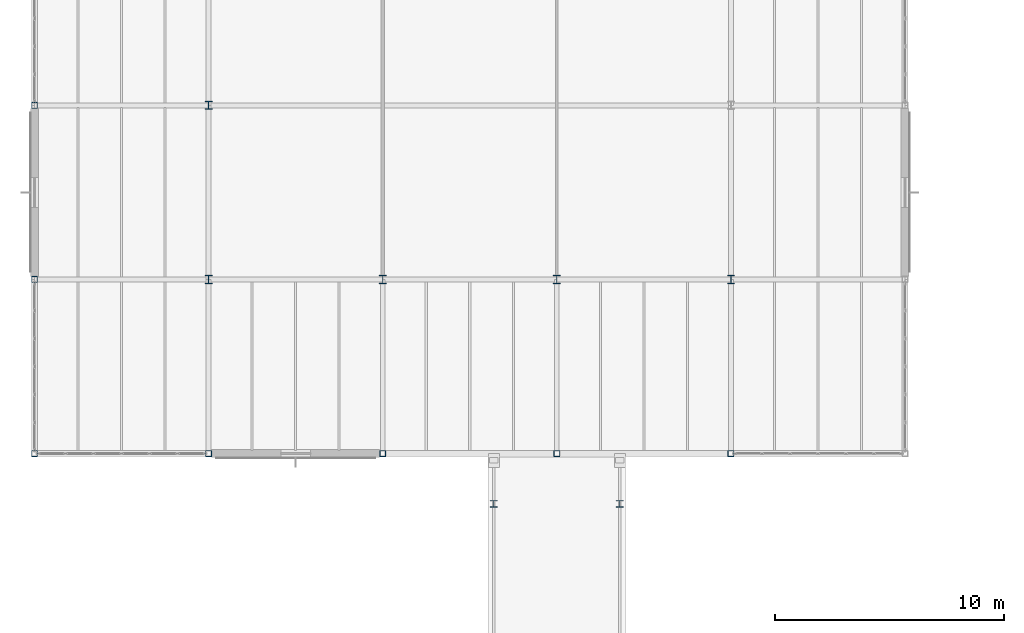
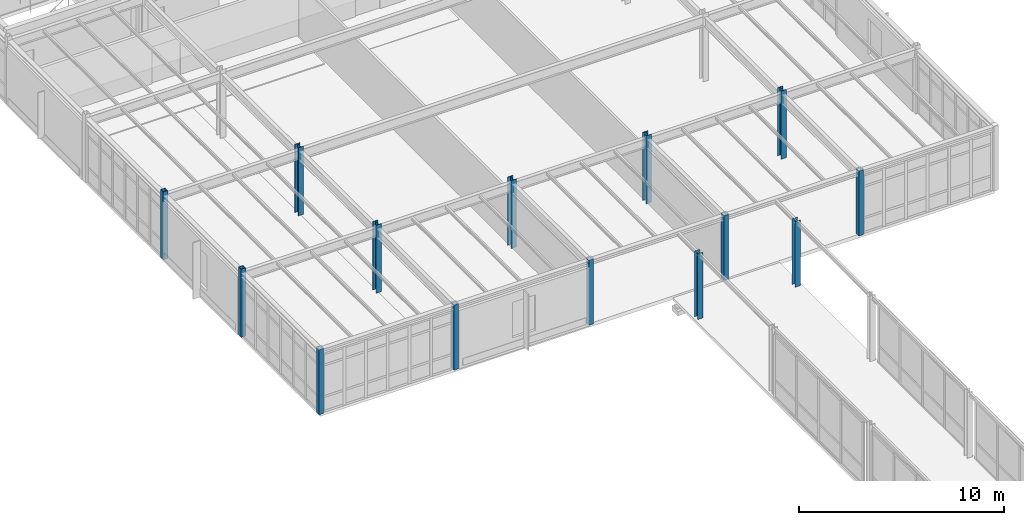
# One storey, part 8 of 189: 14 columns.
"""IFC4 building model written with IfcOpenShell, lengths in metres."""

from ifc_helpers import new_model, si_unit, direction, frame, origin, origin_2d, place, context, subcontext, project, spatial, hollow_rectangle, i_section, extrude, material, material_profile, profile_set, type_object, element, save


model = new_model("IFC4")

# Units and contexts
model_context = context("Model", 3, precision=1e-05, world=origin(), true_north=direction((0.0, 1.0)))
body_context = subcontext(model_context, "Body", "Model", "MODEL_VIEW")
ifc_project = project(units=[si_unit("LENGTHUNIT", "METRE"), si_unit("AREAUNIT", "SQUARE_METRE"), si_unit("VOLUMEUNIT", "CUBIC_METRE"), si_unit("PLANEANGLEUNIT", "RADIAN"), si_unit("MASSUNIT", "GRAM", prefix="KILO")], contexts=[model_context])

# Site, building, storey
site_placement = place(None, origin())
site = spatial("IfcSite", under=ifc_project, at=site_placement, CompositionType="ELEMENT")
building_placement = place(site_placement, origin())
building = spatial("IfcBuilding", under=site, at=building_placement, Name="Montecoro Central Library", CompositionType="ELEMENT")
storey_placement = place(building_placement, frame((0.0, 0.0, 9.179931640625)))
storey = spatial("IfcBuildingStorey", under=building, at=storey_placement, Name="L02", CompositionType="ELEMENT", Elevation=9.179931640625)

# Columns
ifc_material = material(Name="Steel S355", Category="steel")
ifc_material_profile_1 = material_profile(ifc_material, i_section(OverallWidth=0.300048828125, OverallDepth=0.300048828125, WebThickness=0.010986328125, FlangeThickness=0.01904296875, at=origin_2d()), Name="HEB 300")
ifc_profile_set_1 = profile_set([ifc_material_profile_1], Name="Steel S355")
column_type_1 = type_object("IfcColumnType", Name="COL-HEB300", PredefinedType="COLUMN", material=ifc_profile_set_1)
for number, where, z_axis, x_axis, name in (
    (1, (25.050048828125, 71.199951171875, 0.0), (0.0, 0.0, 1.0), (1.0, 0.0, 0.0), "BR-W-L02-COL-250-712"),
    (2, (30.550048828125, 71.199951171875, 0.0), (0.0, 0.0, 1.0), (1.0, 0.0, 0.0), "BR-W-L02-COL-305-712"),
):
    element("IfcColumn", number, at=place(storey_placement, frame(where, z_axis=z_axis, x_axis=x_axis)), inside=storey, type_object=column_type_1, Name=name, PredefinedType="COLUMN", context=body_context, shape_type="SweptSolid", body=[
        extrude(i_section(OverallWidth=0.300048828125, OverallDepth=0.300048828125, WebThickness=0.010986328125, FlangeThickness=0.01904296875, at=origin_2d()), origin(), (0.0, 0.0, 1.0), 3.907958984375),
    ])
ifc_material_profile_2 = material_profile(ifc_material, i_section(OverallWidth=0.300048828125, OverallDepth=0.360107421875, WebThickness=0.012451171875, FlangeThickness=0.0224609375, at=origin_2d()), Name="HEB 360")
ifc_profile_set_2 = profile_set([ifc_material_profile_2], Name="Steel S355")
column_type_2 = type_object("IfcColumnType", Name="COL-HEB360", PredefinedType="COLUMN", material=ifc_profile_set_2)
for number, where, z_axis, x_axis, name in (
    (3, (12.60009765625, 81.0, 0.0), (0.0, 0.0, 1.0), (1.0, 0.0, 0.0), "V4-L02-COL-2-L"),
    (4, (12.60009765625, 88.60009765625, 0.0), (0.0, 0.0, 1.0), (1.0, 0.0, 0.0), "V4-L02-COL-2-M"),
    (5, (20.199951171875, 81.0, 0.0), (0.0, 0.0, 1.0), (1.0, 0.0, 0.0), "V4-L02-COL-3-L"),
    (6, (27.800048828125, 81.0, 0.0), (0.0, 0.0, 1.0), (1.0, 0.0, 0.0), "V4-L02-COL-4-L"),
    (7, (35.39990234375, 81.0, 0.0), (0.0, 0.0, 1.0), (1.0, 0.0, 0.0), "V4-L02-COL-5-L"),
):
    element("IfcColumn", number, at=place(storey_placement, frame(where, z_axis=z_axis, x_axis=x_axis)), inside=storey, type_object=column_type_2, Name=name, PredefinedType="COLUMN", context=body_context, shape_type="SweptSolid", body=[
        extrude(i_section(OverallWidth=0.300048828125, OverallDepth=0.360107421875, WebThickness=0.012451171875, FlangeThickness=0.0224609375, at=origin_2d()), origin(), (0.0, 0.0, 1.0), 4.05517578125),
    ])
ifc_material_profile_3 = material_profile(ifc_material, hollow_rectangle(XDim=0.260009765625, YDim=0.260009765625, WallThickness=0.012451171875, at=origin_2d()), Name="SHS 260x260x12.5")
ifc_profile_set_3 = profile_set([ifc_material_profile_3], Name="Steel S355")
column_type_3 = type_object("IfcColumnType", Name="COL-SHS260", PredefinedType="COLUMN", material=ifc_profile_set_3)
column_placement = place(storey_placement, frame((5.0, 73.39990234375, 0.0), z_axis=(0.0, 0.0, 1.0), x_axis=(1.0, 0.0, 0.0)))
element("IfcColumn", 8, at=column_placement, inside=storey, type_object=column_type_3, Name="V4-L02-COL-1-K", PredefinedType="COLUMN", context=body_context, shape_type="SweptSolid", body=[
    extrude(hollow_rectangle(XDim=0.260009765625, YDim=0.260009765625, WallThickness=0.012451171875, at=origin_2d()), origin(), (0.0, 0.0, 1.0), 3.864990234375),
])
for number, where, z_axis, x_axis, name in (
    (9, (5.0, 81.0, 0.0), (0.0, 0.0, 1.0), (1.0, 0.0, 0.0), "V4-L02-COL-1-L"),
    (10, (5.0, 88.60009765625, 0.0), (0.0, 0.0, 1.0), (1.0, 0.0, 0.0), "V4-L02-COL-1-M"),
):
    element("IfcColumn", number, at=place(storey_placement, frame(where, z_axis=z_axis, x_axis=x_axis)), inside=storey, type_object=column_type_3, Name=name, PredefinedType="COLUMN", context=body_context, shape_type="SweptSolid", body=[
        extrude(hollow_rectangle(XDim=0.260009765625, YDim=0.260009765625, WallThickness=0.012451171875, at=origin_2d()), origin(), (0.0, 0.0, 1.0), 4.05517578125),
    ])
for number, where, z_axis, x_axis, name in (
    (11, (12.60009765625, 73.39990234375, 0.0), (0.0, 0.0, 1.0), (1.0, 0.0, 0.0), "V4-L02-COL-2-K"),
    (12, (20.199951171875, 73.39990234375, 0.0), (0.0, 0.0, 1.0), (1.0, 0.0, 0.0), "V4-L02-COL-3-K"),
    (13, (27.800048828125, 73.39990234375, 0.0), (0.0, 0.0, 1.0), (1.0, 0.0, 0.0), "V4-L02-COL-4-K"),
    (14, (35.39990234375, 73.39990234375, 0.0), (0.0, 0.0, 1.0), (1.0, 0.0, 0.0), "V4-L02-COL-5-K"),
):
    element("IfcColumn", number, at=place(storey_placement, frame(where, z_axis=z_axis, x_axis=x_axis)), inside=storey, type_object=column_type_3, Name=name, PredefinedType="COLUMN", context=body_context, shape_type="SweptSolid", body=[
        extrude(hollow_rectangle(XDim=0.260009765625, YDim=0.260009765625, WallThickness=0.012451171875, at=origin_2d()), origin(), (0.0, 0.0, 1.0), 3.864990234375),
    ])

save(model, "model.ifc")
